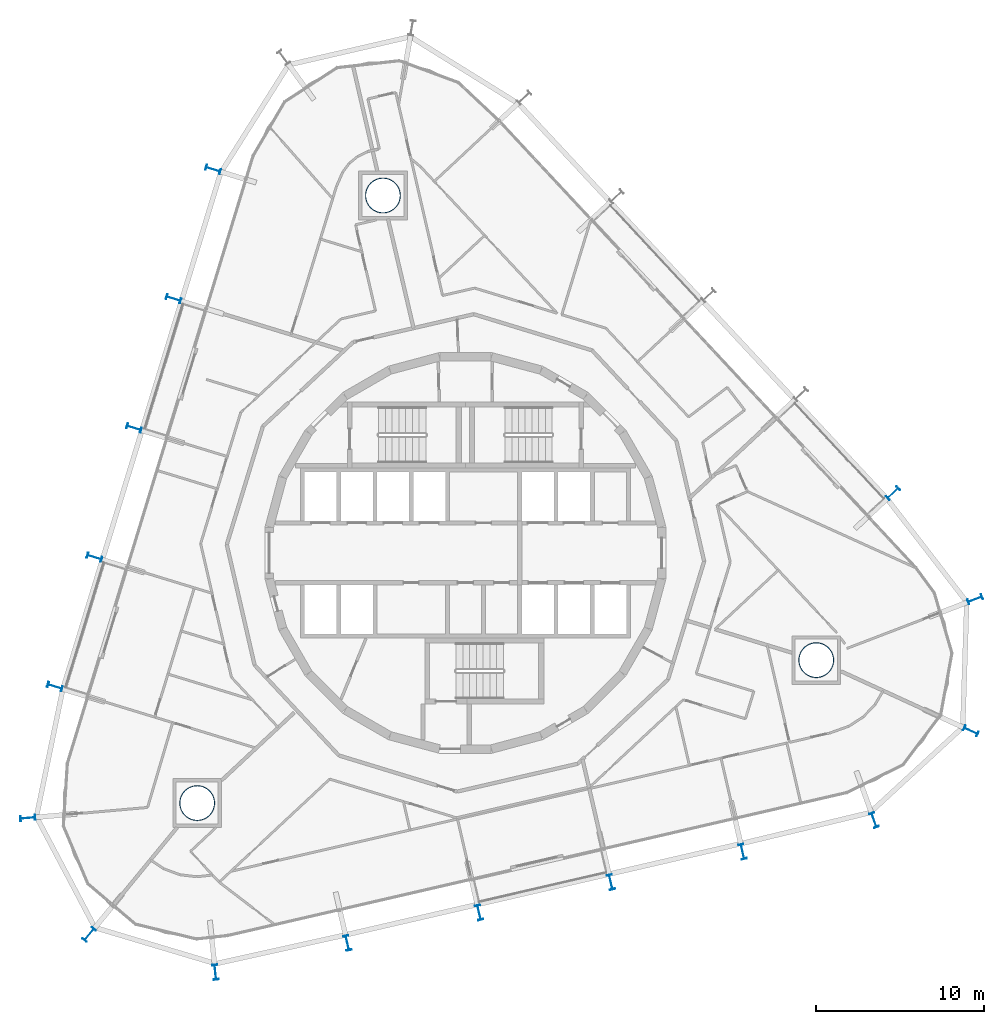
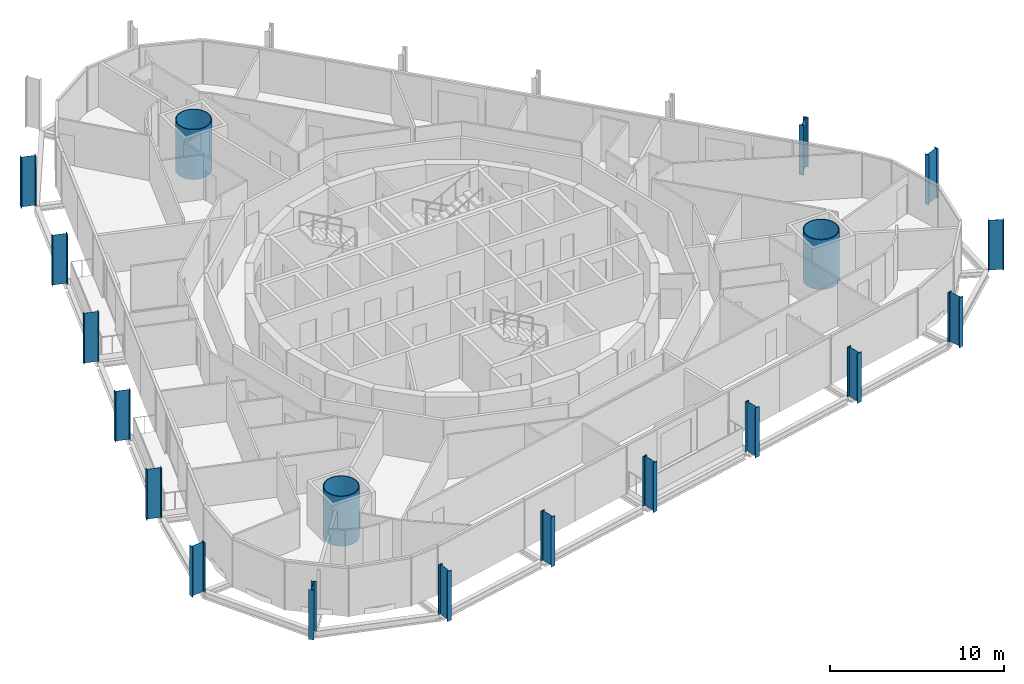
# One storey, part 1 of 18: 19 columns.
"""IFC4 building model written with IfcOpenShell, lengths in metres."""

from ifc_helpers import new_model, si_unit, direction, frame, origin, origin_2d, place, context, subcontext, project, spatial, hollow_circle, i_section, extrude, material, material_profile, profile_set, type_object, element, save


model = new_model("IFC4")

# Units and contexts
model_context = context("Model", 3, precision=1e-05, world=origin(), true_north=direction((0.0, 1.0)))
body_context = subcontext(model_context, "Body", "Model", "MODEL_VIEW")
ifc_project = project(units=[si_unit("LENGTHUNIT", "METRE"), si_unit("AREAUNIT", "SQUARE_METRE"), si_unit("VOLUMEUNIT", "CUBIC_METRE"), si_unit("PLANEANGLEUNIT", "RADIAN"), si_unit("MASSUNIT", "GRAM", prefix="KILO")], contexts=[model_context])

# Site, building, storey
site_placement = place(None, origin())
site = spatial("IfcSite", under=ifc_project, at=site_placement, CompositionType="ELEMENT")
building_placement = place(site_placement, origin())
building = spatial("IfcBuilding", under=site, at=building_placement, Name="Spindle Arch Residences", CompositionType="ELEMENT")
storey_placement = place(building_placement, frame((0.0, 0.0, 130.89990234375)))
storey = spatial("IfcBuildingStorey", under=building, at=storey_placement, Name="L32", CompositionType="ELEMENT", Elevation=130.89990234375)

# Columns
ifc_material_1 = material(Name="Steel S460ML, intumescent coating R 240", Category="steel")
ifc_material_profile_1 = material_profile(ifc_material_1, i_section(OverallWidth=0.300048828125, OverallDepth=0.89990234375, WebThickness=0.0185546875, FlangeThickness=0.034912109375, FilletRadius=0.030029296875, at=origin_2d()), Name="HEB 900")
ifc_profile_set_1 = profile_set([ifc_material_profile_1], Name="Steel S460ML, intumescent coating R 240")
column_type_1 = type_object("IfcColumnType", Name="Exoskeleton post HEB 900", PredefinedType="COLUMN", material=ifc_profile_set_1)
for number, where, z_axis, x_axis, name in (
    (1, (8.633544921875, -19.5498046875, -0.3798828125), (0.0, 0.0, 1.0), (-0.974370073419, -0.224951016948, 0.0), "Exoskeleton post 1"),
    (2, (16.45703125, -17.74365234375, -0.3798828125), (0.0, 0.0, 1.0), (-0.974370073419, -0.224951016948, 0.0), "Exoskeleton post 2"),
    (3, (24.26123046875, -15.86767578125, -0.3798828125), (0.0, 0.0, 1.0), (-0.940523325903, -0.339729117728, 0.0), "Exoskeleton post 3"),
    (4, (30.013916015625, -10.5712890625, -0.3798828125), (0.0, 0.0, 1.0), (-0.416143895931, -0.909298772615, 0.0), "Exoskeleton post 4"),
    (5, (30.261962890625, -2.756103515625, -0.3798828125), (0.0, 0.0, 1.0), (0.357664986637, -0.933849965109, 0.0), "Exoskeleton post 5"),
    (6, (25.390869140625, 3.550048828125, -0.3798828125), (0.0, 0.0, 1.0), (0.68199801865, -0.731354019992, 0.0), "Exoskeleton post 6"),
    (7, (-14.9873046875, 22.7734375, -0.3798828125), (0.0, 0.0, 1.0), (0.29237190653, 0.956304694264, 0.0), "Exoskeleton post 13"),
    (8, (-17.3349609375, 15.09521484375, -0.3798828125), (0.0, 0.0, 1.0), (0.29237190653, 0.956304694264, 0.0), "Exoskeleton post 14"),
    (9, (-19.682373046875, 7.4169921875, -0.3798828125), (0.0, 0.0, 1.0), (0.29237190653, 0.956304694264, 0.0), "Exoskeleton post 15"),
    (10, (-22.02978515625, -0.261474609375, -0.3798828125), (0.0, 0.0, 1.0), (0.29237190653, 0.956304694264, 0.0), "Exoskeleton post 16"),
    (11, (-24.37744140625, -7.939697265625, -0.3798828125), (0.0, 0.0, 1.0), (0.29237190653, 0.956304694264, 0.0), "Exoskeleton post 17"),
    (12, (-25.9912109375, -15.742919921875, -0.3798828125), (0.0, 0.0, 1.0), (-0.087904987966, 0.996128863697, 0.0), "Exoskeleton post 18"),
    (13, (-22.34228515625, -22.65869140625, -0.3798828125), (0.0, 0.0, 1.0), (-0.772637925649, 0.634846938915, 0.0), "Exoskeleton post 19"),
    (14, (-14.85009765625, -24.897216796875, -0.3798828125), (0.0, 0.0, 1.0), (-0.994264182944, -0.106952019682, 0.0), "Exoskeleton post 20"),
    (15, (-7.01318359375, -23.162109375, -0.3798828125), (0.0, 0.0, 1.0), (-0.974370073419, -0.224951016948, 0.0), "Exoskeleton post 21"),
    (16, (0.810302734375, -21.35595703125, -0.3798828125), (0.0, 0.0, 1.0), (-0.974370073419, -0.224951016948, 0.0), "Exoskeleton post 22"),
):
    element("IfcColumn", number, at=place(storey_placement, frame(where, z_axis=z_axis, x_axis=x_axis)), inside=storey, type_object=column_type_1, Name=name, PredefinedType="COLUMN", context=body_context, shape_type="SweptSolid", body=[
        extrude(i_section(OverallWidth=0.300048828125, OverallDepth=0.89990234375, WebThickness=0.0185546875, FlangeThickness=0.034912109375, FilletRadius=0.030029296875, at=origin_2d()), origin(), (0.0, 0.0, 1.0), 3.5),
    ])
ifc_material_2 = material(Name="Concrete C50/60 filled steel tube S460ML, intumescent coating R 240", Category="concrete")
ifc_material_profile_2 = material_profile(ifc_material_2, hollow_circle(Radius=1.050048828125, WallThickness=0.050048828125, at=origin_2d()), Name="CFT D2100x50")
ifc_profile_set_2 = profile_set([ifc_material_profile_2], Name="Concrete C50/60 filled steel tube S460ML, intumescent coating R 240")
column_type_2 = type_object("IfcColumnType", Name="Mega-column CFT D2100x50", PredefinedType="COLUMN", material=ifc_profile_set_2)
for number, where, z_axis, x_axis, name in (
    (17, (20.830078125, -6.368408203125, -0.3798828125), (0.0, 0.0, 1.0), (1.0, 0.0, 0.0), "Mega-column 1"),
    (18, (-4.89990234375, 21.223388671875, -0.3798828125), (0.0, 0.0, 1.0), (1.0, 0.0, 0.0), "Mega-column 2"),
    (19, (-15.93017578125, -14.855224609375, -0.3798828125), (0.0, 0.0, 1.0), (1.0, 0.0, 0.0), "Mega-column 3"),
):
    element("IfcColumn", number, at=place(storey_placement, frame(where, z_axis=z_axis, x_axis=x_axis)), inside=storey, type_object=column_type_2, Name=name, PredefinedType="COLUMN", context=body_context, shape_type="SweptSolid", body=[
        extrude(hollow_circle(Radius=1.050048828125, WallThickness=0.050048828125, at=origin_2d()), origin(), (0.0, 0.0, 1.0), 3.5),
    ])

save(model, "model.ifc")
